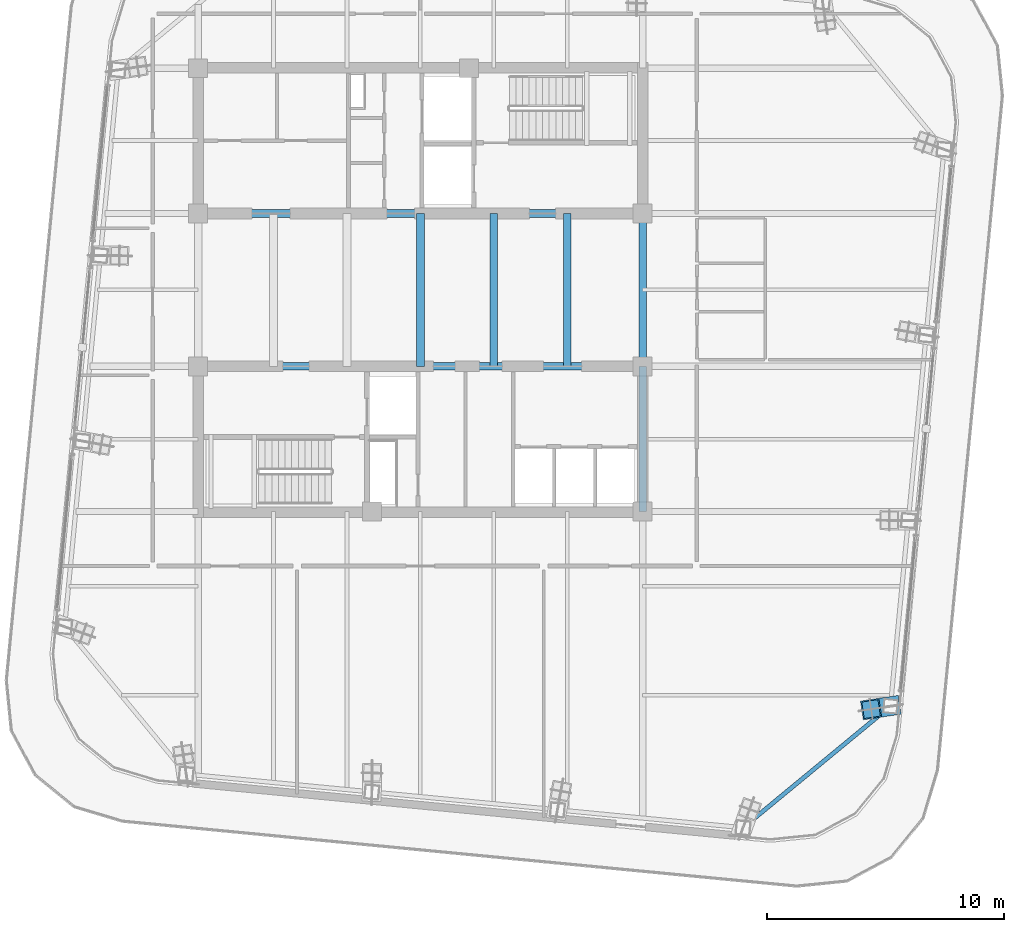
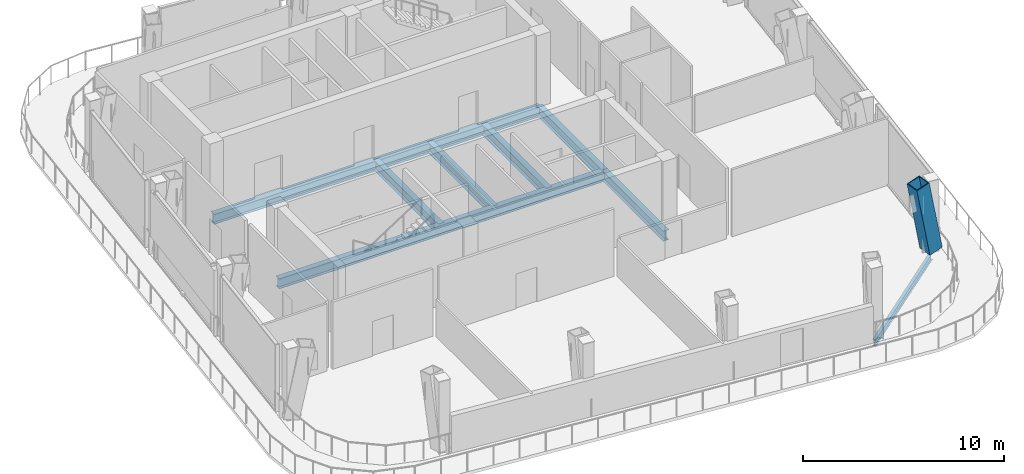
# One storey, part 5 of 19: 8 beams, 1 member.
"""IFC4 building model written with IfcOpenShell, lengths in metres."""

from ifc_helpers import new_model, si_unit, direction, frame, origin, origin_2d, place, context, subcontext, project, spatial, hollow_rectangle, i_section, extrude, material, material_profile, profile_set, type_object, element, save


model = new_model("IFC4")

# Units and contexts
model_context = context("Model", 3, precision=1e-05, world=origin(), true_north=direction((0.0, 1.0)))
body_context = subcontext(model_context, "Body", "Model", "MODEL_VIEW")
ifc_project = project(units=[si_unit("LENGTHUNIT", "METRE"), si_unit("AREAUNIT", "SQUARE_METRE"), si_unit("VOLUMEUNIT", "CUBIC_METRE"), si_unit("PLANEANGLEUNIT", "RADIAN"), si_unit("MASSUNIT", "GRAM", prefix="KILO")], contexts=[model_context])

# Site, building, storey
site_placement = place(None, origin())
site = spatial("IfcSite", under=ifc_project, at=site_placement, CompositionType="ELEMENT")
building_placement = place(site_placement, origin())
building = spatial("IfcBuilding", under=site, at=building_placement, Name="Qhalaya Broadcast Tower", CompositionType="ELEMENT")
storey_placement = place(building_placement, frame((0.0, 0.0, 280.550048828125)))
storey = spatial("IfcBuildingStorey", under=building, at=storey_placement, Name="L83", CompositionType="ELEMENT", Elevation=280.550048828125)

# Beams
ifc_material_1 = material(Name="Structural Steel ASTM A992 Grade 50", Category="steel")
ifc_material_profile_1 = material_profile(ifc_material_1, i_section(OverallWidth=0.323974609375, OverallDepth=0.612060546875, WebThickness=0.0126953125, FlangeThickness=0.01904296875, at=origin_2d()), Name="W24X104")
ifc_profile_set_1 = profile_set([ifc_material_profile_1], Name="Structural Steel ASTM A992 Grade 50")
beam_type_1 = type_object("IfcBeamType", Name="Core Frame Tie Beam B04", PredefinedType="BEAM", material=ifc_profile_set_1)
for number, where, z_axis, x_axis, name in (
    (1, (-9.375, 3.824951171875, -0.49609375), (1.0, 0.0, 0.0), (0.0, 1.0, 0.0), "L83 B04 L83-CCN1"),
    (2, (-9.375, -2.625, -0.49609375), (1.0, 0.0, 0.0), (0.0, 1.0, 0.0), "L83 B04 L83-CCS1"),
):
    element("IfcBeam", number, at=place(storey_placement, frame(where, z_axis=z_axis, x_axis=x_axis)), inside=storey, type_object=beam_type_1, Name=name, PredefinedType="BEAM", context=body_context, shape_type="SweptSolid", body=[
        extrude(i_section(OverallWidth=0.323974609375, OverallDepth=0.612060546875, WebThickness=0.0126953125, FlangeThickness=0.01904296875, at=origin_2d()), origin(), (0.0, 0.0, 1.0), 18.75),
    ])
beam_1_placement = place(storey_placement, frame((9.375, -8.75, -0.49609375), z_axis=(0.0, 1.0, 0.0), x_axis=(-1.0, 0.0, 0.0)))
element("IfcBeam", 3, at=beam_1_placement, inside=storey, type_object=beam_type_1, Name="L83 B04 L83-CCS2", PredefinedType="BEAM", context=body_context, shape_type="SweptSolid", body=[
    extrude(i_section(OverallWidth=0.323974609375, OverallDepth=0.612060546875, WebThickness=0.0126953125, FlangeThickness=0.01904296875, at=origin_2d()), origin(), (0.0, 0.0, 1.0), 6.125),
])
for number, where, z_axis, x_axis, name in (
    (4, (9.375, -2.625, -0.49609375), (0.0, 1.0, 0.0), (-1.0, 0.0, 0.0), "L83 B04 L83-CCE"),
    (5, (0.0, -2.625, -0.49609375), (0.0, 1.0, 0.0), (-1.0, 0.0, 0.0), "L83 B04 L83-JC3-1"),
    (6, (3.10009765625, -2.625, -0.49609375), (0.0, 1.0, 0.0), (-1.0, 0.0, 0.0), "L83 B04 L83-JC4-1"),
    (7, (6.199951171875, -2.625, -0.49609375), (0.0, 1.0, 0.0), (-1.0, 0.0, 0.0), "L83 B04 L83-JC5-1"),
):
    element("IfcBeam", number, at=place(storey_placement, frame(where, z_axis=z_axis, x_axis=x_axis)), inside=storey, type_object=beam_type_1, Name=name, PredefinedType="BEAM", context=body_context, shape_type="SweptSolid", body=[
        extrude(i_section(OverallWidth=0.323974609375, OverallDepth=0.612060546875, WebThickness=0.0126953125, FlangeThickness=0.01904296875, at=origin_2d()), origin(), (0.0, 0.0, 1.0), 6.449951171875),
    ])

# Member
ifc_material_2 = material(Name="Structural Steel ASTM A572 Grade 50", Category="steel")
ifc_material_profile_2 = material_profile(ifc_material_2, hollow_rectangle(XDim=0.800048828125, YDim=0.800048828125, WallThickness=0.050048828125, at=origin_2d()), Name="BOX 800x800x50")
ifc_profile_set_2 = profile_set([ifc_material_profile_2], Name="Structural Steel ASTM A572 Grade 50")
member_type = type_object("IfcMemberType", Name="Upper Exoskeleton Transfer Strut RK2", PredefinedType="BRACE", material=ifc_profile_set_2)
member_placement = place(storey_placement, frame((19.82861328125, -16.962890625, 0.0859375), z_axis=(-0.187815070553, -0.028220043525, 0.981798924636), x_axis=(0.148586502805, -0.988899414088, 0.0)))
element("IfcMember", 8, at=member_placement, inside=storey, type_object=member_type, Name="L83 Inclined Exoskeleton Transfer Strut 05", PredefinedType="BRACE", context=body_context, shape_type="SweptSolid", body=[
    extrude(hollow_rectangle(XDim=0.800048828125, YDim=0.800048828125, WallThickness=0.050048828125, at=origin_2d()), origin(), (0.0, 0.0, 1.0), 4.343017578125),
])

# Beam
ifc_material_profile_3 = material_profile(ifc_material_1, i_section(OverallWidth=0.177978515625, OverallDepth=0.406005859375, WebThickness=0.0078125, FlangeThickness=0.0126953125, at=origin_2d()), Name="W16X40")
ifc_profile_set_3 = profile_set([ifc_material_profile_3], Name="Structural Steel ASTM A992 Grade 50")
beam_type_2 = type_object("IfcBeamType", Name="Upper Perimeter Spandrel Beam SP2", PredefinedType="SPANDREL", material=ifc_profile_set_3)
beam_2_placement = place(storey_placement, frame((13.6083984375, -22.09033203125, -0.39306640625), z_axis=(0.771631160126, 0.636070241972, 0.0), x_axis=(-0.636070241972, 0.771631160126, 0.0)))
element("IfcBeam", 9, at=beam_2_placement, inside=storey, type_object=beam_type_2, Name="L83 SP2 L83-SPR-04", PredefinedType="SPANDREL", context=body_context, shape_type="SweptSolid", body=[
    extrude(i_section(OverallWidth=0.177978515625, OverallDepth=0.406005859375, WebThickness=0.0078125, FlangeThickness=0.0126953125, at=origin_2d()), origin(), (0.0, 0.0, 1.0), 8.06103515625),
])

save(model, "model.ifc")
